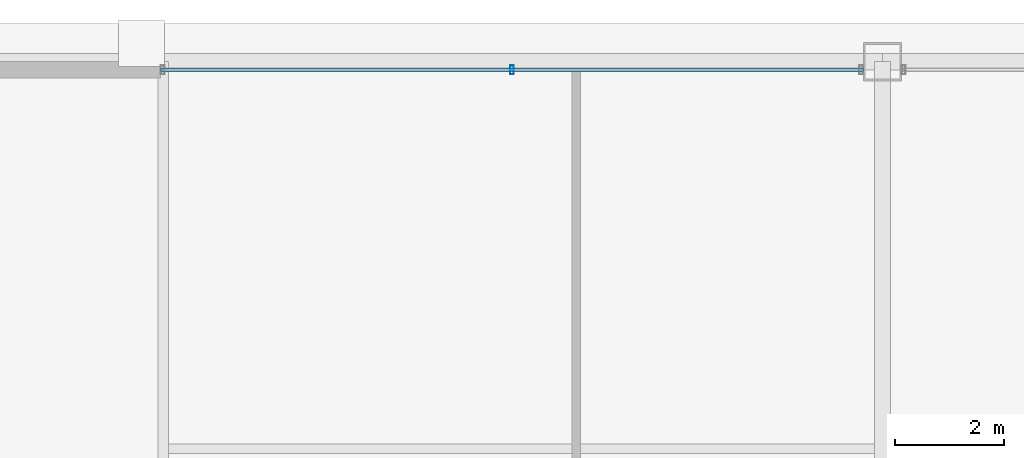
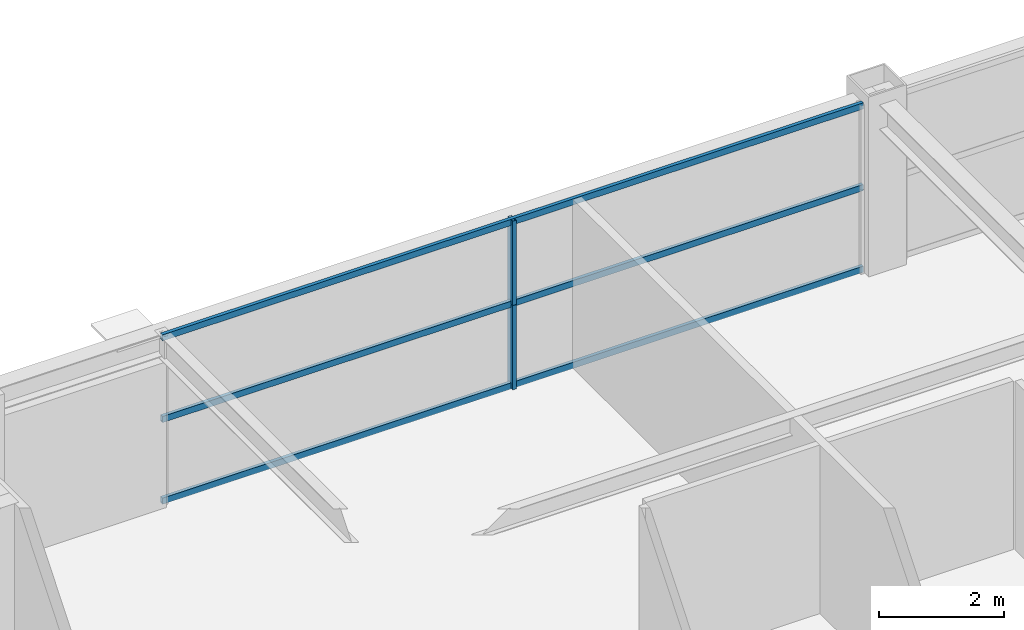
# One storey, part 26 of 36: 5 members, 1 element without a shape of its own.
"""IFC4 building model written with IfcOpenShell, lengths in metres."""

from ifc_helpers import new_model, si_unit, direction, frame, origin, origin_2d, place, context, subcontext, project, spatial, hollow_rectangle, extrude, source, transform, mapped, material, layer, layer_set, material_profile, profile_set, type_object, element, aggregate, save


model = new_model("IFC4")

# Units and contexts
model_context = context("Model", 3, precision=1e-05, world=origin(), true_north=direction((0.0, 1.0)))
body_context = subcontext(model_context, "Body", "Model", "MODEL_VIEW")
ifc_project = project(units=[si_unit("LENGTHUNIT", "METRE"), si_unit("AREAUNIT", "SQUARE_METRE"), si_unit("VOLUMEUNIT", "CUBIC_METRE"), si_unit("PLANEANGLEUNIT", "RADIAN"), si_unit("MASSUNIT", "GRAM", prefix="KILO"), si_unit("THERMODYNAMICTEMPERATUREUNIT", "KELVIN"), si_unit("POWERUNIT", "WATT")], contexts=[model_context])

# Site, building, storey
site_placement = place(None, origin())
site = spatial("IfcSite", under=ifc_project, at=site_placement, CompositionType="ELEMENT")
building_placement = place(site_placement, origin())
building = spatial("IfcBuilding", under=site, at=building_placement, Name="Yuzanri Waterfront Tower", CompositionType="ELEMENT")
storey_placement = place(building_placement, frame((0.0, 0.0, 238.10009765625)))
storey = spatial("IfcBuildingStorey", under=building, at=storey_placement, Name="L63", CompositionType="ELEMENT", Elevation=238.10009765625)

# Curtain wall, members
ifc_material_1 = material(Name="Anodized Architectural Bronze", Category="metal")
ifc_layer = layer(ifc_material_1, 0.159912109375)
ifc_layer_set = layer_set([ifc_layer], Name="Anodized Architectural Bronze")
curtain_wall_type = type_object("IfcCurtainWallType", Name="Anodized Bronze Mid-Rise Residential Acoustic Unitized Curtain Wall 7200", PredefinedType="NOTDEFINED", material=ifc_layer_set)
curtain_wall_placement = place(storey_placement, origin())
curtain_wall = element("IfcCurtainWall", 1, at=curtain_wall_placement, inside=storey, type_object=curtain_wall_type, Name="L63 Curtain Wall CW-L63-NL", PredefinedType="NOTDEFINED")
ifc_material_2 = material(Name="Anodized Architectural Bronze", Category="metal")
ifc_material_profile_1 = material_profile(ifc_material_2, hollow_rectangle(XDim=0.06494140625, YDim=0.159912109375, WallThickness=0.00341796875, at=origin_2d()), Name="CWM 65x160")
ifc_profile_set_1 = profile_set([ifc_material_profile_1], Name="Anodized Architectural Bronze")
member_type_1 = type_object("IfcMemberType", Name="Anodized Bronze Upper-Zone Curtain-Wall Mullion 65x160", PredefinedType="MULLION", material=ifc_profile_set_1)
shared_shape_1 = source(origin(), body_context, "Body", "SweptSolid", [
    extrude(hollow_rectangle(XDim=0.06494140625, YDim=0.159912109375, WallThickness=0.00341796875, at=origin_2d()), origin(), (0.0, 0.0, 1.0), 1.637939453125),
])
member_1_placement = place(storey_placement, frame((30.199951171875, 46.25, 0.0), z_axis=(0.0, 0.0, 1.0), x_axis=(1.0, 0.0, 0.0)))
member_1 = element("IfcMember", 2, at=member_1_placement, type_object=member_type_1, Name="CW-L63-NL Lower Mullion 01", PredefinedType="MULLION", context=body_context, shape_type="MappedRepresentation", body=[
    mapped(shared_shape_1, transform((0.0, 0.0, 0.0), scale=1.0)),
])
member_2_placement = place(storey_placement, frame((30.199951171875, 46.25, 1.641845703125), z_axis=(0.0, 0.0, 1.0), x_axis=(1.0, 0.0, 0.0)))
member_2 = element("IfcMember", 3, at=member_2_placement, type_object=member_type_1, Name="CW-L63-NL Upper Mullion 01", PredefinedType="MULLION", context=body_context, shape_type="MappedRepresentation", body=[
    mapped(shared_shape_1, transform((0.0, 0.0, 0.0), scale=1.0)),
])
ifc_material_3 = material(Name="Anodized Architectural Bronze", Category="metal")
ifc_material_profile_2 = material_profile(ifc_material_3, hollow_rectangle(XDim=0.06494140625, YDim=0.1201171875, WallThickness=0.00341796875, at=origin_2d()), Name="CWT 65x120")
ifc_profile_set_2 = profile_set([ifc_material_profile_2], Name="Anodized Architectural Bronze")
member_type_2 = type_object("IfcMemberType", Name="Anodized Bronze Secondary Curtain-Wall Transom 65x120", PredefinedType="USERDEFINED", material=ifc_profile_set_2)
shared_shape_2 = source(origin(), body_context, "Body", "SweptSolid", [
    extrude(hollow_rectangle(XDim=0.06494140625, YDim=0.1201171875, WallThickness=0.00341796875, at=origin_2d()), origin(), (0.0, 0.0, 1.0), 12.89990234375),
])
member_3_placement = place(storey_placement, frame((23.75, 46.25, 0.0498046875), z_axis=(1.0, 0.0, 0.0), x_axis=(0.0, 1.0, 0.0)))
member_3 = element("IfcMember", 4, at=member_3_placement, type_object=member_type_2, Name="CW-L63-NL Transom 1", ObjectType="TRANSOM", PredefinedType="USERDEFINED", context=body_context, shape_type="MappedRepresentation", body=[
    mapped(shared_shape_2, transform((0.0, 0.0, 0.0), scale=1.0)),
])
member_4_placement = place(storey_placement, frame((23.75, 46.25, 1.639892578125), z_axis=(1.0, 0.0, 0.0), x_axis=(0.0, 1.0, 0.0)))
member_4 = element("IfcMember", 5, at=member_4_placement, type_object=member_type_2, Name="CW-L63-NL Transom 2", ObjectType="TRANSOM", PredefinedType="USERDEFINED", context=body_context, shape_type="MappedRepresentation", body=[
    mapped(shared_shape_2, transform((0.0, 0.0, 0.0), scale=1.0)),
])
member_5_placement = place(storey_placement, frame((23.75, 46.25, 3.22998046875), z_axis=(1.0, 0.0, 0.0), x_axis=(0.0, 1.0, 0.0)))
member_5 = element("IfcMember", 6, at=member_5_placement, type_object=member_type_2, Name="CW-L63-NL Transom 3", ObjectType="TRANSOM", PredefinedType="USERDEFINED", context=body_context, shape_type="MappedRepresentation", body=[
    mapped(shared_shape_2, transform((0.0, 0.0, 0.0), scale=1.0)),
])
aggregate(curtain_wall, [member_1, member_2, member_3, member_4, member_5])

save(model, "model.ifc")
